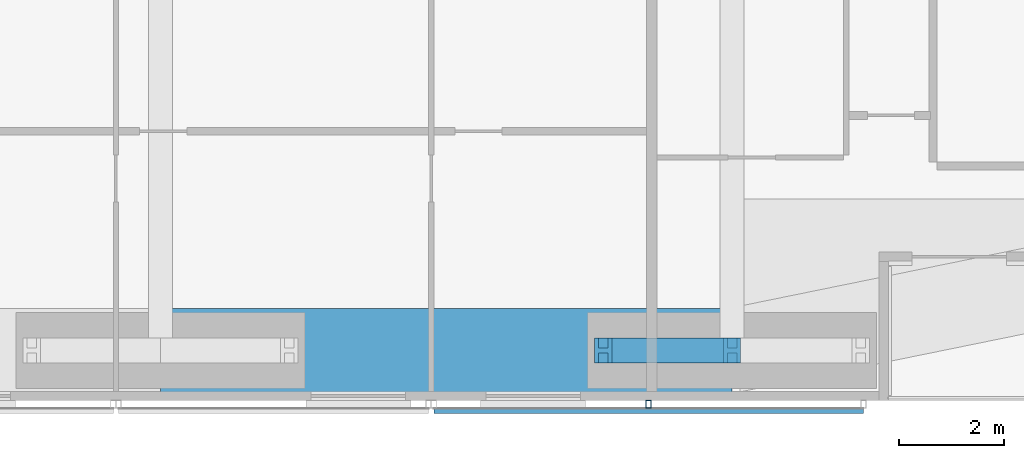
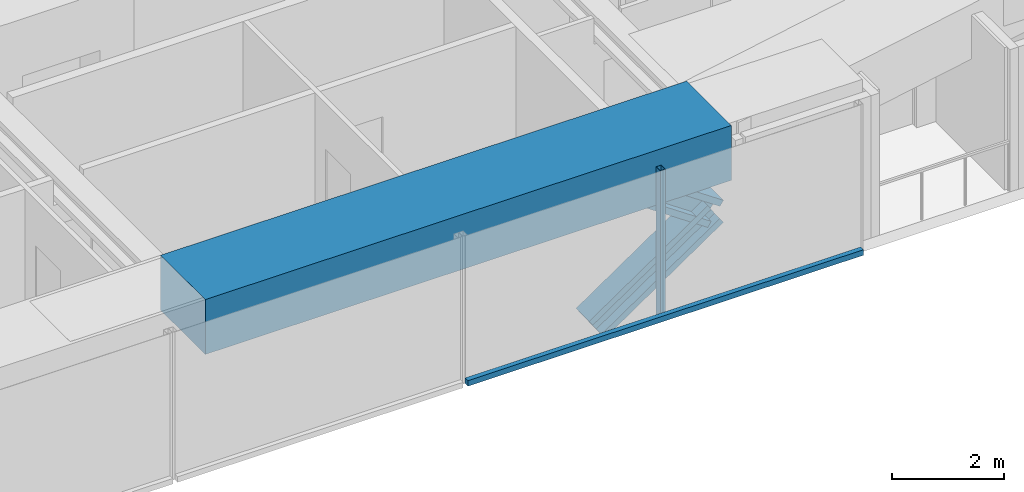
# One storey, part 5 of 23: 4 members, 1 beam, 1 element without a shape of its own.
"""IFC4 building model written with IfcOpenShell, lengths in metres."""

from ifc_helpers import new_model, si_unit, direction, frame, origin, origin_2d, place, context, subcontext, project, spatial, rectangle, hollow_rectangle, i_section, extrude, material, material_profile, profile_set, type_object, element, aggregate, save


model = new_model("IFC4")

# Units and contexts
model_context = context("Model", 3, precision=1e-05, world=origin(), true_north=direction((0.0, 1.0)))
body_context = subcontext(model_context, "Body", "Model", "MODEL_VIEW")
ifc_project = project(units=[si_unit("LENGTHUNIT", "METRE"), si_unit("AREAUNIT", "SQUARE_METRE"), si_unit("VOLUMEUNIT", "CUBIC_METRE"), si_unit("PLANEANGLEUNIT", "RADIAN"), si_unit("MASSUNIT", "GRAM", prefix="KILO")], contexts=[model_context])

# Site, building, storey
site_placement = place(None, origin())
site = spatial("IfcSite", under=ifc_project, at=site_placement, CompositionType="ELEMENT")
building_placement = place(site_placement, origin())
building = spatial("IfcBuilding", under=site, at=building_placement, Name="Jalousie Tower", CompositionType="ELEMENT")
storey_placement = place(building_placement, frame((0.0, 0.0, 118.25)))
storey = spatial("IfcBuildingStorey", under=building, at=storey_placement, Name="L32", CompositionType="ELEMENT", Elevation=118.25)

# Members
ifc_material_1 = material(Name="Steel ASTM A992 Grade 50", Category="steel")
ifc_material_profile_1 = material_profile(ifc_material_1, i_section(OverallWidth=0.472412109375, OverallDepth=0.5791015625, WebThickness=0.094970703125, FlangeThickness=0.1298828125, at=origin_2d()), Name="W14X808")
ifc_profile_set_1 = profile_set([ifc_material_profile_1], Name="Steel ASTM A992 Grade 50")
member_type_1 = type_object("IfcMemberType", Name="PERIMETER BRACE W14X808", PredefinedType="BRACE", material=ifc_profile_set_1)
for number, where, z_axis, x_axis, name in (
    (1, (36.175048828125, 0.949951171875, -0.60009765625), (0.825500916831, 0.0, 0.564400776321), (0.0, 1.0, 0.0), "Perimeter brace 04 L32 part 1"),
    (2, (38.625, 0.949951171875, 1.074951171875), (-0.825500916831, 0.0, 0.564400776321), (0.0, -1.0, 0.0), "Perimeter brace 04 L32 part 4"),
):
    element("IfcMember", number, at=place(storey_placement, frame(where, z_axis=z_axis, x_axis=x_axis)), inside=storey, type_object=member_type_1, Name=name, PredefinedType="BRACE", context=body_context, shape_type="SweptSolid", body=[
        extrude(i_section(OverallWidth=0.472412109375, OverallDepth=0.5791015625, WebThickness=0.094970703125, FlangeThickness=0.1298828125, at=origin_2d()), origin(), (0.0, 0.0, 1.0), 2.9677734375),
    ])

# Beam
ifc_material_2 = material(Name="Concrete f'c 40 MPa", Category="concrete")
ifc_material_profile_2 = material_profile(ifc_material_2, rectangle(XDim=1.60009765625, YDim=1.199951171875, at=origin_2d()), Name="RC 1600x1200")
ifc_profile_set_2 = profile_set([ifc_material_profile_2], Name="Concrete f'c 40 MPa")
beam_type = type_object("IfcBeamType", Name="RC BEAM 1600x1200", PredefinedType="BEAM", material=ifc_profile_set_2)
beam_placement = place(storey_placement, frame((27.75, 0.949951171875, 2.75), z_axis=(1.0, 0.0, 0.0), x_axis=(0.0, 1.0, 0.0)))
element("IfcBeam", 3, at=beam_placement, inside=storey, type_object=beam_type, Name="Edge band beam 03-04 under L33", PredefinedType="BEAM", context=body_context, shape_type="SweptSolid", body=[
    extrude(rectangle(XDim=1.60009765625, YDim=1.199951171875, at=origin_2d()), origin(), (0.0, 0.0, 1.0), 10.875),
])

# Curtain wall, members
ifc_material_3 = material(Name="Perforated aluminium sheet", Category="aluminium")
curtain_wall_type = type_object("IfcCurtainWallType", Name="SOLAR SCREEN SS-1", PredefinedType="USERDEFINED", material=ifc_material_3)
curtain_wall_placement = place(storey_placement, origin())
curtain_wall = element("IfcCurtainWall", 4, at=curtain_wall_placement, inside=storey, type_object=curtain_wall_type, Name="Solar screen L32", ObjectType="SOLAR SCREEN SS-1", PredefinedType="USERDEFINED")
ifc_material_4 = material(Name="Steel ASTM A500 Grade C", Category="steel")
ifc_material_profile_3 = material_profile(ifc_material_4, hollow_rectangle(XDim=0.1015625, YDim=0.15234375, WallThickness=0.00634765625, at=origin_2d()), Name="HSS6X4X1/4")
ifc_profile_set_3 = profile_set([ifc_material_profile_3], Name="Steel ASTM A500 Grade C")
member_type_2 = type_object("IfcMemberType", Name="SOLAR SCREEN SS-1 MULLION", PredefinedType="MULLION", material=ifc_profile_set_3)
member_1_placement = place(storey_placement, frame((37.03759765625, -0.0712890625, -0.1201171875), z_axis=(0.0, 0.0, 1.0), x_axis=(1.0, 0.0, 0.0)))
member_1 = element("IfcMember", 5, at=member_1_placement, type_object=member_type_2, Name="SS1 post 2", PredefinedType="MULLION", context=body_context, shape_type="SweptSolid", body=[
    extrude(hollow_rectangle(XDim=0.1015625, YDim=0.15234375, WallThickness=0.00634765625, at=origin_2d()), origin(), (0.0, 0.0, 1.0), 3.230224609375),
])
ifc_material_5 = material(Name="Extruded aluminium screen rail", Category="aluminium")
ifc_material_profile_4 = material_profile(ifc_material_5, rectangle(XDim=0.1015625, YDim=0.1201171875, at=origin_2d()), Name="RAIL 102x120")
ifc_profile_set_4 = profile_set([ifc_material_profile_4], Name="Extruded aluminium screen rail")
member_type_3 = type_object("IfcMemberType", Name="SOLAR SCREEN SS-1 TRANSOM", PredefinedType="USERDEFINED", material=ifc_profile_set_4)
member_2_placement = place(storey_placement, frame((32.949951171875, -0.1982421875, -0.06005859375), z_axis=(1.0, 0.0, 0.0), x_axis=(0.0, 1.0, 0.0)))
member_2 = element("IfcMember", 6, at=member_2_placement, type_object=member_type_3, Name="SS1 rail", ObjectType="TRANSOM", PredefinedType="USERDEFINED", context=body_context, shape_type="SweptSolid", body=[
    extrude(rectangle(XDim=0.1015625, YDim=0.1201171875, at=origin_2d()), origin(), (0.0, 0.0, 1.0), 8.175048828125),
])
aggregate(curtain_wall, [member_1, member_2])

save(model, "model.ifc")
